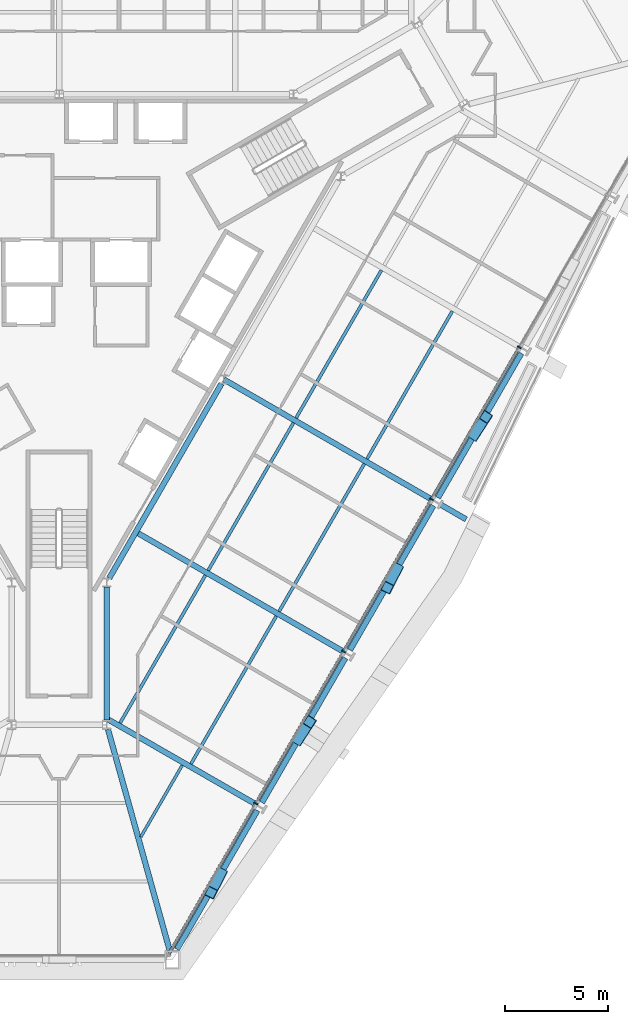
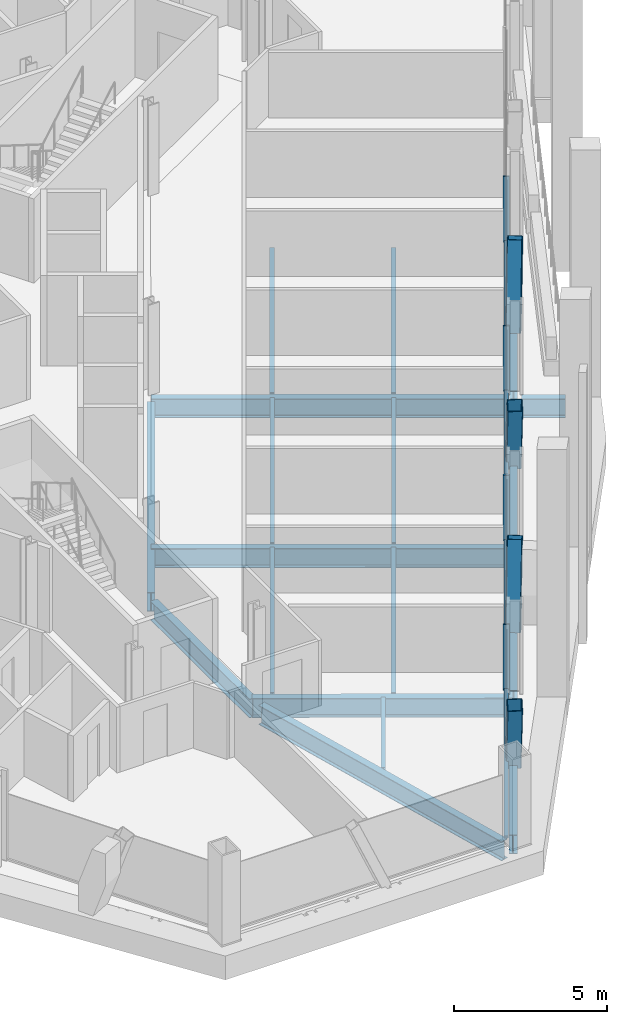
# One storey, part 4 of 18: 18 beams, 12 members, 1 element without a shape of its own.
"""IFC4 building model written with IfcOpenShell, lengths in metres."""

from ifc_helpers import new_model, si_unit, direction, frame, origin, origin_2d, place, context, subcontext, project, spatial, rectangle, hollow_rectangle, i_section, extrude, material, material_profile, profile_set, type_object, element, aggregate, save


model = new_model("IFC4")

# Units and contexts
model_context = context("Model", 3, precision=1e-05, world=origin(), true_north=direction((0.0, 1.0)))
body_context = subcontext(model_context, "Body", "Model", "MODEL_VIEW")
ifc_project = project(units=[si_unit("LENGTHUNIT", "METRE"), si_unit("AREAUNIT", "SQUARE_METRE"), si_unit("VOLUMEUNIT", "CUBIC_METRE"), si_unit("PLANEANGLEUNIT", "RADIAN"), si_unit("MASSUNIT", "GRAM", prefix="KILO")], contexts=[model_context])

# Site, building, storey
site_placement = place(None, origin())
site = spatial("IfcSite", under=ifc_project, at=site_placement, CompositionType="ELEMENT")
building_placement = place(site_placement, origin())
building = spatial("IfcBuilding", under=site, at=building_placement, Name="Verrane Prism Tower", CompositionType="ELEMENT")
storey_placement = place(building_placement, frame((0.0, 0.0, 47.60009765625)))
storey = spatial("IfcBuildingStorey", under=building, at=storey_placement, Name="L09", CompositionType="ELEMENT", Elevation=47.60009765625)

# Beams
ifc_material_1 = material(Name="Steel A992", Category="steel")
ifc_material_profile_1 = material_profile(ifc_material_1, i_section(OverallWidth=0.2666015625, OverallDepth=0.7568359375, WebThickness=0.013916015625, FlangeThickness=0.019287109375, FilletRadius=0.0166015625, at=origin_2d()), Name="W30x108")
ifc_profile_set_1 = profile_set([ifc_material_profile_1], Name="Steel A992")
beam_type_1 = type_object("IfcBeamType", Name="Core ring girder W30x108", PredefinedType="BEAM", material=ifc_profile_set_1)
beam_1_placement = place(storey_placement, frame((2.300048828125, -21.07275390625, -0.628662109375), z_axis=(0.0, 1.0, 0.0), x_axis=(-1.0, 0.0, 0.0)))
element("IfcBeam", 1, at=beam_1_placement, inside=storey, type_object=beam_type_1, Name="Core ring girder L09", PredefinedType="BEAM", context=body_context, shape_type="SweptSolid", body=[
    extrude(i_section(OverallWidth=0.2666015625, OverallDepth=0.7568359375, WebThickness=0.013916015625, FlangeThickness=0.019287109375, FilletRadius=0.0166015625, at=origin_2d()), origin(), (0.0, 0.0, 1.0), 6.4443359375),
])
beam_2_placement = place(storey_placement, frame((2.42041015625, -14.211669921875, -0.628662109375), z_axis=(0.500013103396, 0.866017838403, 0.0), x_axis=(-0.866017838403, 0.500013103396, 0.0)))
element("IfcBeam", 2, at=beam_2_placement, inside=storey, type_object=beam_type_1, Name="Core ring girder L09", PredefinedType="BEAM", context=body_context, shape_type="SweptSolid", body=[
    extrude(i_section(OverallWidth=0.2666015625, OverallDepth=0.7568359375, WebThickness=0.013916015625, FlangeThickness=0.019287109375, FilletRadius=0.0166015625, at=origin_2d()), origin(), (0.0, 0.0, 1.0), 10.858154296875),
])
ifc_material_2 = material(Name="Steel A992", Category="steel")
ifc_material_profile_2 = material_profile(ifc_material_2, i_section(OverallWidth=0.2666015625, OverallDepth=0.76708984375, WebThickness=0.014892578125, FlangeThickness=0.023681640625, FilletRadius=0.0166015625, at=origin_2d()), Name="W30x124")
ifc_profile_set_2 = profile_set([ifc_material_profile_2], Name="Steel A992")
beam_type_2 = type_object("IfcBeamType", Name="Corner girder W30x124", PredefinedType="BEAM", material=ifc_profile_set_2)
beam_3_placement = place(storey_placement, frame((5.344482421875, -32.2099609375, -0.603515625), z_axis=(-0.268799442753, 0.963196168792, 0.0), x_axis=(-0.963196168792, -0.268799442753, 0.0)))
element("IfcBeam", 3, at=beam_3_placement, inside=storey, type_object=beam_type_2, Name="Corner girder L09", PredefinedType="BEAM", context=body_context, shape_type="SweptSolid", body=[
    extrude(i_section(OverallWidth=0.2666015625, OverallDepth=0.76708984375, WebThickness=0.014892578125, FlangeThickness=0.023681640625, FilletRadius=0.0166015625, at=origin_2d()), origin(), (0.0, 0.0, 1.0), 11.0908203125),
])

# Members
ifc_material_3 = material(Name="Steel A1085 Grade A", Category="steel")
ifc_material_profile_3 = material_profile(ifc_material_3, hollow_rectangle(XDim=0.508056640625, YDim=0.508056640625, WallThickness=0.025390625, InnerFilletRadius=0.0126953125, OuterFilletRadius=0.0380859375, at=origin_2d()), Name="HSS20x20x1")
ifc_profile_set_3 = profile_set([ifc_material_profile_3], Name="Steel A1085 Grade A")
member_type_1 = type_object("IfcMemberType", Name="Facade brace HSS20x20x1", PredefinedType="BRACE", material=ifc_profile_set_3)
member_1_placement = place(storey_placement, frame((7.821533203125, -28.49072265625, -0.24267578125), z_axis=(-0.149234681563, -0.289875900743, 0.94535758948), x_axis=(0.889093559861, -0.457725509245, 0.0)))
element("IfcMember", 4, at=member_1_placement, inside=storey, type_object=member_type_1, Name="Facade brace SE0 L09", PredefinedType="BRACE", context=body_context, shape_type="SweptSolid", body=[
    extrude(hollow_rectangle(XDim=0.508056640625, YDim=0.508056640625, WallThickness=0.025390625, InnerFilletRadius=0.0126953125, OuterFilletRadius=0.0380859375, at=origin_2d()), origin(), (0.0, 0.0, 1.0), 3.181884765625),
])
member_2_placement = place(storey_placement, frame((11.569091796875, -22.0029296875, -0.24267578125), z_axis=(0.172116437964, 0.266257047817, 0.94841083728), x_axis=(-0.839811088153, 0.542878749092, 0.0)))
element("IfcMember", 5, at=member_2_placement, inside=storey, type_object=member_type_1, Name="Facade brace SE1 L09", PredefinedType="BRACE", context=body_context, shape_type="SweptSolid", body=[
    extrude(hollow_rectangle(XDim=0.508056640625, YDim=0.508056640625, WallThickness=0.025390625, InnerFilletRadius=0.0126953125, OuterFilletRadius=0.0380859375, at=origin_2d()), origin(), (0.0, 0.0, 1.0), 3.171630859375),
])
for number, where, z_axis, x_axis, name in (
    (6, (16.332275390625, -13.755615234375, -0.24267578125), (-0.146785965567, -0.286117355919, 0.946884754843), (0.889742806834, -0.456462197436, 0.0), "Facade brace SE2 L09"),
    (7, (20.07958984375, -7.267578125, -0.24267578125), (0.174534548637, 0.269986732436, 0.946913330585), (-0.839800973676, 0.542894395451, 0.0), "Facade brace SE3 L09"),
):
    element("IfcMember", number, at=place(storey_placement, frame(where, z_axis=z_axis, x_axis=x_axis)), inside=storey, type_object=member_type_1, Name=name, PredefinedType="BRACE", context=body_context, shape_type="SweptSolid", body=[
        extrude(hollow_rectangle(XDim=0.508056640625, YDim=0.508056640625, WallThickness=0.025390625, InnerFilletRadius=0.0126953125, OuterFilletRadius=0.0380859375, at=origin_2d()), origin(), (0.0, 0.0, 1.0), 3.1767578125),
    ])

# Beams
ifc_material_4 = material(Name="Steel A992", Category="steel")
ifc_material_profile_4 = material_profile(ifc_material_4, i_section(OverallWidth=0.140380859375, OverallDepth=0.40380859375, WebThickness=0.007080078125, FlangeThickness=0.01123046875, FilletRadius=0.01025390625, at=origin_2d()), Name="W16x31")
ifc_profile_set_4 = profile_set([ifc_material_profile_4], Name="Steel A992")
beam_type_3 = type_object("IfcBeamType", Name="Floor beam W16x31", PredefinedType="BEAM", material=ifc_profile_set_4)
beam_4_placement = place(storey_placement, frame((3.950927734375, -26.719970703125, -0.362060546875), z_axis=(0.499997556188, 0.866026814715, 0.0), x_axis=(-0.866026814715, 0.499997556188, 0.0)))
element("IfcBeam", 8, at=beam_4_placement, inside=storey, type_object=beam_type_3, Name="Floor beam L09", PredefinedType="BEAM", context=body_context, shape_type="SweptSolid", body=[
    extrude(i_section(OverallWidth=0.140380859375, OverallDepth=0.40380859375, WebThickness=0.007080078125, FlangeThickness=0.01123046875, FilletRadius=0.01025390625, at=origin_2d()), origin(), (0.0, 0.0, 1.0), 3.99462890625),
])
ifc_material_5 = material(Name="Steel A992", Category="steel")
ifc_material_profile_5 = material_profile(ifc_material_5, i_section(OverallWidth=0.15234375, OverallDepth=0.449462890625, WebThickness=0.007568359375, FlangeThickness=0.0107421875, FilletRadius=0.01025390625, at=origin_2d()), Name="W18x35")
ifc_profile_set_5 = profile_set([ifc_material_profile_5], Name="Steel A992")
beam_type_4 = type_object("IfcBeamType", Name="Floor beam W18x35", PredefinedType="BEAM", material=ifc_profile_set_5)
beam_5_placement = place(storey_placement, frame((6.370361328125, -23.196044921875, -0.385009765625), z_axis=(0.499992194788, 0.866029910079, 0.0), x_axis=(-0.866029910079, 0.499992194788, 0.0)))
element("IfcBeam", 9, at=beam_5_placement, inside=storey, type_object=beam_type_4, Name="Floor beam L09", PredefinedType="BEAM", context=body_context, shape_type="SweptSolid", body=[
    extrude(i_section(OverallWidth=0.15234375, OverallDepth=0.449462890625, WebThickness=0.007568359375, FlangeThickness=0.0107421875, FilletRadius=0.01025390625, at=origin_2d()), origin(), (0.0, 0.0, 1.0), 8.252685546875),
])
beam_6_placement = place(storey_placement, frame((2.944091796875, -21.2177734375, -0.385009765625), z_axis=(0.499989680267, 0.866031361803, 0.0), x_axis=(-0.866031361803, 0.499989680267, 0.0)))
element("IfcBeam", 10, at=beam_6_placement, inside=storey, type_object=beam_type_4, Name="Floor beam L09", PredefinedType="BEAM", context=body_context, shape_type="SweptSolid", body=[
    extrude(i_section(OverallWidth=0.15234375, OverallDepth=0.449462890625, WebThickness=0.007568359375, FlangeThickness=0.0107421875, FilletRadius=0.01025390625, at=origin_2d()), origin(), (0.0, 0.0, 1.0), 8.251220703125),
])
beam_7_placement = place(storey_placement, frame((10.63232421875, -15.819091796875, -0.385009765625), z_axis=(0.499994031393, 0.866028849734, 0.0), x_axis=(-0.866028849734, 0.499994031393, 0.0)))
element("IfcBeam", 11, at=beam_7_placement, inside=storey, type_object=beam_type_4, Name="Floor beam L09", PredefinedType="BEAM", context=body_context, shape_type="SweptSolid", body=[
    extrude(i_section(OverallWidth=0.15234375, OverallDepth=0.449462890625, WebThickness=0.007568359375, FlangeThickness=0.0107421875, FilletRadius=0.01025390625, at=origin_2d()), origin(), (0.0, 0.0, 1.0), 8.24853515625),
])
beam_8_placement = place(storey_placement, frame((7.2041015625, -13.841552734375, -0.385009765625), z_axis=(0.499999059579, 0.866025946736, 0.0), x_axis=(-0.866025946736, 0.499999059579, 0.0)))
element("IfcBeam", 12, at=beam_8_placement, inside=storey, type_object=beam_type_4, Name="Floor beam L09", PredefinedType="BEAM", context=body_context, shape_type="SweptSolid", body=[
    extrude(i_section(OverallWidth=0.15234375, OverallDepth=0.449462890625, WebThickness=0.007568359375, FlangeThickness=0.0107421875, FilletRadius=0.01025390625, at=origin_2d()), origin(), (0.0, 0.0, 1.0), 8.25146484375),
])
beam_9_placement = place(storey_placement, frame((14.887451171875, -8.44287109375, -0.385009765625), z_axis=(0.499992194788, 0.866029910079, 0.0), x_axis=(-0.866029910079, 0.499992194788, 0.0)))
element("IfcBeam", 13, at=beam_9_placement, inside=storey, type_object=beam_type_4, Name="Floor beam L09", PredefinedType="BEAM", context=body_context, shape_type="SweptSolid", body=[
    extrude(i_section(OverallWidth=0.15234375, OverallDepth=0.449462890625, WebThickness=0.007568359375, FlangeThickness=0.0107421875, FilletRadius=0.01025390625, at=origin_2d()), origin(), (0.0, 0.0, 1.0), 8.252685546875),
])
beam_10_placement = place(storey_placement, frame((11.4580078125, -6.461181640625, -0.385009765625), z_axis=(0.500002492643, 0.866023964651, 0.0), x_axis=(-0.866023964651, 0.500002492643, 0.0)))
element("IfcBeam", 14, at=beam_10_placement, inside=storey, type_object=beam_type_4, Name="Floor beam L09", PredefinedType="BEAM", context=body_context, shape_type="SweptSolid", body=[
    extrude(i_section(OverallWidth=0.15234375, OverallDepth=0.449462890625, WebThickness=0.007568359375, FlangeThickness=0.0107421875, FilletRadius=0.01025390625, at=origin_2d()), origin(), (0.0, 0.0, 1.0), 8.2509765625),
])

# Curtain wall, members
ifc_material_6 = material(Name="Aluminium framed insulated glazing", Category="aluminium")
curtain_wall_type = type_object("IfcCurtainWallType", Name="Curtain wall CW-A 8400 module", PredefinedType="NOTDEFINED", material=ifc_material_6)
curtain_wall_placement = place(storey_placement, origin())
curtain_wall = element("IfcCurtainWall", 15, at=curtain_wall_placement, inside=storey, type_object=curtain_wall_type, Name="Glazed curtain wall south-east face L09", PredefinedType="NOTDEFINED")
ifc_material_7 = material(Name="Aluminium alloy 6063-T6", Category="aluminium")
ifc_material_profile_6 = material_profile(ifc_material_7, rectangle(XDim=0.199951171875, YDim=0.070068359375, at=origin_2d()), Name="Mullion 70x200 aluminium")
ifc_profile_set_6 = profile_set([ifc_material_profile_6], Name="Aluminium alloy 6063-T6")
member_type_2 = type_object("IfcMemberType", Name="Mullion 70x200 aluminium", PredefinedType="MULLION", material=ifc_profile_set_6)
member_3_placement = place(storey_placement, frame((9.513671875, -25.103515625, 0.0), z_axis=(0.0, 0.0, 1.0), x_axis=(-0.866025694591, 0.499999496308, 0.0)))
member_3 = element("IfcMember", 16, at=member_3_placement, type_object=member_type_2, Name="CW09.6 mullion 2", PredefinedType="MULLION", context=body_context, shape_type="SweptSolid", body=[
    extrude(rectangle(XDim=0.199951171875, YDim=0.070068359375, at=origin_2d()), origin(), (0.0, 0.0, 1.0), 2.61279296875),
])
member_4_placement = place(storey_placement, frame((13.759521484375, -17.74951171875, 0.0), z_axis=(0.0, 0.0, 1.0), x_axis=(-0.866025694591, 0.499999496308, 0.0)))
member_4 = element("IfcMember", 17, at=member_4_placement, type_object=member_type_2, Name="CW09.6 mullion 3", PredefinedType="MULLION", context=body_context, shape_type="SweptSolid", body=[
    extrude(rectangle(XDim=0.199951171875, YDim=0.070068359375, at=origin_2d()), origin(), (0.0, 0.0, 1.0), 2.61279296875),
])
member_5_placement = place(storey_placement, frame((18.005615234375, -10.3955078125, 0.0), z_axis=(0.0, 0.0, 1.0), x_axis=(-0.866025694591, 0.499999496308, 0.0)))
member_5 = element("IfcMember", 18, at=member_5_placement, type_object=member_type_2, Name="CW09.6 mullion 4", PredefinedType="MULLION", context=body_context, shape_type="SweptSolid", body=[
    extrude(rectangle(XDim=0.199951171875, YDim=0.070068359375, at=origin_2d()), origin(), (0.0, 0.0, 1.0), 2.61279296875),
])
member_6_placement = place(storey_placement, frame((22.25146484375, -3.04150390625, 0.0), z_axis=(0.0, 0.0, 1.0), x_axis=(-0.866025694591, 0.499999496308, 0.0)))
member_6 = element("IfcMember", 19, at=member_6_placement, type_object=member_type_2, Name="CW09.6 mullion 5", PredefinedType="MULLION", context=body_context, shape_type="SweptSolid", body=[
    extrude(rectangle(XDim=0.199951171875, YDim=0.070068359375, at=origin_2d()), origin(), (0.0, 0.0, 1.0), 2.61279296875),
])

# Beams
ifc_material_8 = material(Name="Steel A992", Category="steel")
ifc_material_profile_7 = material_profile(ifc_material_8, i_section(OverallWidth=0.2666015625, OverallDepth=0.76708984375, WebThickness=0.014892578125, FlangeThickness=0.023681640625, FilletRadius=0.0166015625, at=origin_2d()), Name="W30x124")
ifc_profile_set_7 = profile_set([ifc_material_profile_7], Name="Steel A992")
beam_type_5 = type_object("IfcBeamType", Name="Radial girder W30x124", PredefinedType="BEAM", material=ifc_profile_set_7)
beam_11_placement = place(storey_placement, frame((9.4658203125, -25.115478515625, -0.603515625), z_axis=(-0.867172055993, 0.498008659869, 0.0), x_axis=(-0.498008659869, -0.867172055993, 0.0)))
element("IfcBeam", 20, at=beam_11_placement, inside=storey, type_object=beam_type_5, Name="Radial girder L09", PredefinedType="BEAM", context=body_context, shape_type="SweptSolid", body=[
    extrude(i_section(OverallWidth=0.2666015625, OverallDepth=0.76708984375, WebThickness=0.014892578125, FlangeThickness=0.023681640625, FilletRadius=0.0166015625, at=origin_2d()), origin(), (0.0, 0.0, 1.0), 8.263427734375),
])
beam_12_placement = place(storey_placement, frame((13.720947265625, -17.74365234375, -0.603515625), z_axis=(-0.866434923472, 0.499290019316, 0.0), x_axis=(-0.499290019316, -0.866434923472, 0.0)))
element("IfcBeam", 21, at=beam_12_placement, inside=storey, type_object=beam_type_5, Name="Radial girder L09", PredefinedType="BEAM", context=body_context, shape_type="SweptSolid", body=[
    extrude(i_section(OverallWidth=0.2666015625, OverallDepth=0.76708984375, WebThickness=0.014892578125, FlangeThickness=0.023681640625, FilletRadius=0.0166015625, at=origin_2d()), origin(), (0.0, 0.0, 1.0), 11.552490234375),
])
beam_13_placement = place(storey_placement, frame((17.97607421875, -10.380126953125, -0.603515625), z_axis=(-0.866083212805, 0.499899858468, 0.0), x_axis=(-0.499899858468, -0.866083212805, 0.0)))
element("IfcBeam", 22, at=beam_13_placement, inside=storey, type_object=beam_type_5, Name="Radial girder L09", PredefinedType="BEAM", context=body_context, shape_type="SweptSolid", body=[
    extrude(i_section(OverallWidth=0.2666015625, OverallDepth=0.76708984375, WebThickness=0.014892578125, FlangeThickness=0.023681640625, FilletRadius=0.0166015625, at=origin_2d()), origin(), (0.0, 0.0, 1.0), 11.555419921875),
])
beam_14_placement = place(storey_placement, frame((18.431640625, -10.64501953125, -0.603515625), z_axis=(0.866095206675, -0.499879078353, 0.0), x_axis=(0.499879078353, 0.866095206675, 0.0)))
element("IfcBeam", 23, at=beam_14_placement, inside=storey, type_object=beam_type_5, Name="Cantilever girder L09", PredefinedType="BEAM", context=body_context, shape_type="SweptSolid", body=[
    extrude(i_section(OverallWidth=0.2666015625, OverallDepth=0.76708984375, WebThickness=0.014892578125, FlangeThickness=0.023681640625, FilletRadius=0.0166015625, at=origin_2d()), origin(), (0.0, 0.0, 1.0), 1.439208984375),
])
ifc_material_9 = material(Name="Steel A992", Category="steel")
ifc_material_profile_8 = material_profile(ifc_material_9, i_section(OverallWidth=0.2666015625, OverallDepth=0.7568359375, WebThickness=0.013916015625, FlangeThickness=0.019287109375, FilletRadius=0.0166015625, at=origin_2d()), Name="W30x108")
ifc_profile_set_8 = profile_set([ifc_material_profile_8], Name="Steel A992")
beam_type_6 = type_object("IfcBeamType", Name="Spandrel beam W30x108", PredefinedType="SPANDREL", material=ifc_profile_set_8)
beam_15_placement = place(storey_placement, frame((5.701416015625, -32.1591796875, -0.53857421875), z_axis=(0.500397597076, 0.86579572928, 0.0), x_axis=(-0.86579572928, 0.500397597076, 0.0)))
element("IfcBeam", 24, at=beam_15_placement, inside=storey, type_object=beam_type_6, Name="Spandrel beam L09", PredefinedType="SPANDREL", context=body_context, shape_type="SweptSolid", body=[
    extrude(i_section(OverallWidth=0.2666015625, OverallDepth=0.7568359375, WebThickness=0.013916015625, FlangeThickness=0.019287109375, FilletRadius=0.0166015625, at=origin_2d()), origin(), (0.0, 0.0, 1.0), 7.761962890625),
])
beam_16_placement = place(storey_placement, frame((9.806640625, -25.056396484375, -0.53857421875), z_axis=(0.499890941057, 0.86608835984, 0.0), x_axis=(-0.86608835984, 0.499890941057, 0.0)))
element("IfcBeam", 25, at=beam_16_placement, inside=storey, type_object=beam_type_6, Name="Spandrel beam L09", PredefinedType="SPANDREL", context=body_context, shape_type="SweptSolid", body=[
    extrude(i_section(OverallWidth=0.2666015625, OverallDepth=0.7568359375, WebThickness=0.013916015625, FlangeThickness=0.019287109375, FilletRadius=0.0166015625, at=origin_2d()), origin(), (0.0, 0.0, 1.0), 8.069580078125),
])
beam_17_placement = place(storey_placement, frame((14.0615234375, -17.684814453125, -0.53857421875), z_axis=(0.500336623232, 0.865830967021, 0.0), x_axis=(-0.865830967021, 0.500336623232, 0.0)))
element("IfcBeam", 26, at=beam_17_placement, inside=storey, type_object=beam_type_6, Name="Spandrel beam L09", PredefinedType="SPANDREL", context=body_context, shape_type="SweptSolid", body=[
    extrude(i_section(OverallWidth=0.2666015625, OverallDepth=0.7568359375, WebThickness=0.013916015625, FlangeThickness=0.019287109375, FilletRadius=0.0166015625, at=origin_2d()), origin(), (0.0, 0.0, 1.0), 8.0625),
])
beam_18_placement = place(storey_placement, frame((18.31640625, -10.321533203125, -0.53857421875), z_axis=(0.499995747913, 0.866027858714, 0.0), x_axis=(-0.866027858714, 0.499995747913, 0.0)))
element("IfcBeam", 27, at=beam_18_placement, inside=storey, type_object=beam_type_6, Name="Spandrel beam L09", PredefinedType="SPANDREL", context=body_context, shape_type="SweptSolid", body=[
    extrude(i_section(OverallWidth=0.2666015625, OverallDepth=0.7568359375, WebThickness=0.013916015625, FlangeThickness=0.019287109375, FilletRadius=0.0166015625, at=origin_2d()), origin(), (0.0, 0.0, 1.0), 8.06787109375),
])

# Member
ifc_material_10 = material(Name="Aluminium alloy 6063-T6", Category="aluminium")
ifc_material_profile_9 = material_profile(ifc_material_10, rectangle(XDim=0.14990234375, YDim=0.070068359375, at=origin_2d()), Name="Transom 70x150 aluminium")
ifc_profile_set_9 = profile_set([ifc_material_profile_9], Name="Aluminium alloy 6063-T6")
member_type_3 = type_object("IfcMemberType", Name="Transom 70x150 aluminium", PredefinedType="USERDEFINED", material=ifc_profile_set_9)
member_7_placement = place(storey_placement, frame((5.302978515625, -32.39697265625, 0.034912109375), z_axis=(0.500008882625, 0.866020275338, 0.0), x_axis=(-0.866020275338, 0.500008882625, 0.0)))
member_7 = element("IfcMember", 28, at=member_7_placement, type_object=member_type_3, Name="CW09.6 transom 1", ObjectType="TRANSOM", PredefinedType="USERDEFINED", context=body_context, shape_type="SweptSolid", body=[
    extrude(rectangle(XDim=0.14990234375, YDim=0.070068359375, at=origin_2d()), origin(), (0.0, 0.0, 1.0), 8.386474609375),
])

member_8_placement = place(storey_placement, frame((9.53125, -25.0732421875, 0.034912109375), z_axis=(0.500005175824, 0.866022415501, 0.0), x_axis=(-0.866022415501, 0.500005175824, 0.0)))
member_8 = element("IfcMember", 29, at=member_8_placement, type_object=member_type_3, Name="CW09.6 transom 2", ObjectType="TRANSOM", PredefinedType="USERDEFINED", context=body_context, shape_type="SweptSolid", body=[
    extrude(rectangle(XDim=0.14990234375, YDim=0.070068359375, at=origin_2d()), origin(), (0.0, 0.0, 1.0), 8.421875),
])

member_9_placement = place(storey_placement, frame((13.777099609375, -17.71923828125, 0.034912109375), z_axis=(0.500005175824, 0.866022415501, 0.0), x_axis=(-0.866022415501, 0.500005175824, 0.0)))
member_9 = element("IfcMember", 30, at=member_9_placement, type_object=member_type_3, Name="CW09.6 transom 3", ObjectType="TRANSOM", PredefinedType="USERDEFINED", context=body_context, shape_type="SweptSolid", body=[
    extrude(rectangle(XDim=0.14990234375, YDim=0.070068359375, at=origin_2d()), origin(), (0.0, 0.0, 1.0), 8.421875),
])

member_10_placement = place(storey_placement, frame((18.02294921875, -10.365234375, 0.034912109375), z_axis=(0.500005175824, 0.866022415501, 0.0), x_axis=(-0.866022415501, 0.500005175824, 0.0)))
member_10 = element("IfcMember", 31, at=member_10_placement, type_object=member_type_3, Name="CW09.6 transom 4", ObjectType="TRANSOM", PredefinedType="USERDEFINED", context=body_context, shape_type="SweptSolid", body=[
    extrude(rectangle(XDim=0.14990234375, YDim=0.070068359375, at=origin_2d()), origin(), (0.0, 0.0, 1.0), 8.421875),
])

aggregate(curtain_wall, [member_3, member_4, member_5, member_6, member_7, member_8, member_9, member_10])

save(model, "model.ifc")
